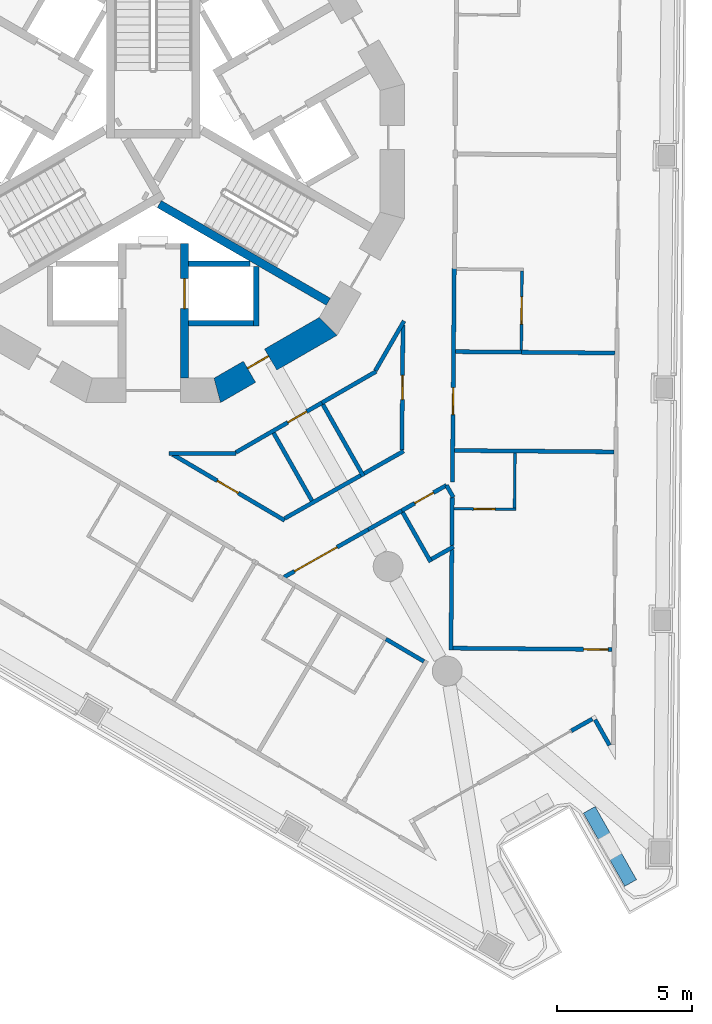
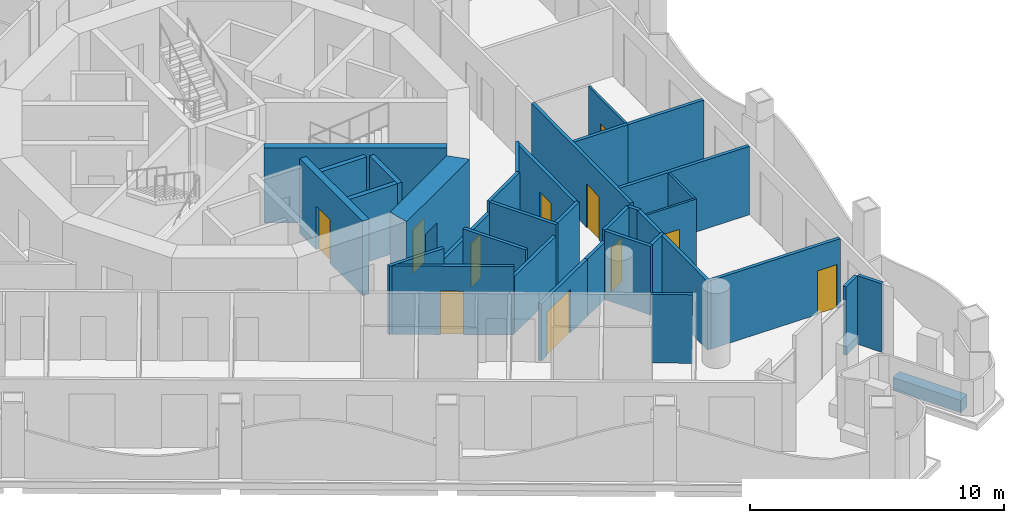
# One storey, part 5 of 17: 36 walls, 11 doors, 11 openings.
"""IFC4 building model written with IfcOpenShell, lengths in metres."""

from ifc_helpers import new_model, si_unit, direction, frame, frame_2d, origin, place, context, subcontext, project, spatial, polyline, rectangle, outline, extrude, material, layer, layer_set, type_object, element, fill, save


model = new_model("IFC4")

# Units and contexts
model_context = context("Model", 3, precision=1e-05, world=origin(), true_north=direction((0.0, 1.0)))
body_context = subcontext(model_context, "Body", "Model", "MODEL_VIEW")
ifc_project = project(units=[si_unit("LENGTHUNIT", "METRE"), si_unit("AREAUNIT", "SQUARE_METRE"), si_unit("VOLUMEUNIT", "CUBIC_METRE"), si_unit("PLANEANGLEUNIT", "RADIAN"), si_unit("MASSUNIT", "GRAM", prefix="KILO")], contexts=[model_context])

# Site, building, storey
site_placement = place(None, origin())
site = spatial("IfcSite", under=ifc_project, at=site_placement, CompositionType="ELEMENT")
building_placement = place(site_placement, origin())
building = spatial("IfcBuilding", under=site, at=building_placement, Name="Trine Commons Tower", CompositionType="ELEMENT")
storey_placement = place(building_placement, frame((0.0, 0.0, 179.10009765625)))
storey = spatial("IfcBuildingStorey", under=building, at=storey_placement, Name="L46", CompositionType="ELEMENT", Elevation=179.10009765625)

# Walls
ifc_material_1 = material(Name="Aluminium-framed insulated wall panel", Category="aluminium")
ifc_layer_1 = layer(ifc_material_1, 0.14990234375)
ifc_layer_set_1 = layer_set([ifc_layer_1], Name="Aluminium-framed insulated wall panel")
wall_type_1 = type_object("IfcWallType", Name="Glazed frame wall 150, EI 60", PredefinedType="SOLIDWALL", material=ifc_layer_set_1)
wall_1_placement = place(storey_placement, frame((96.91552734375, 40.450927734375, 0.0), z_axis=(0.0, 0.0, 1.0), x_axis=(-0.492439994984, 0.870346397327, 0.0)))
element("IfcWall", 1, at=wall_1_placement, inside=storey, type_object=wall_type_1, Name="Glazed frame wall R9", PredefinedType="SOLIDWALL", context=body_context, shape_type="SweptSolid", body=[
    extrude(outline(polyline([(0.1494140625, 0.074951171875), (0.1494140625, -0.074951171875), (1.235107421875, -0.074951171875), (1.235107421875, 0.074951171875), (0.1494140625, 0.074951171875)])), origin(), (0.0, 0.0, 1.0), 3.2998046875),
])
wall_2_placement = place(storey_placement, frame((96.30078125, 41.6083984375, 0.0), z_axis=(0.0, 0.0, 1.0), x_axis=(-0.870353598469, -0.492427267353, 0.0)))
element("IfcWall", 2, at=wall_2_placement, inside=storey, type_object=wall_type_1, Name="Glazed frame wall P3.1", PredefinedType="SOLIDWALL", context=body_context, shape_type="SweptSolid", body=[
    extrude(outline(polyline([(0.110107421875, -0.074951171875), (1.0, -0.074951171875), (1.0, 0.074951171875), (0.110107421875, 0.074951171875), (0.110107421875, -0.074951171875)])), origin(), (0.0, 0.0, 1.0), 3.2998046875),
])
ifc_material_2 = material(Name="Planter trough, precast concrete C40/50", Category="concrete")
ifc_layer_2 = layer(ifc_material_2, 0.5)
ifc_layer_set_2 = layer_set([ifc_layer_2], Name="Planter trough, precast concrete C40/50")
wall_type_2 = type_object("IfcWallType", Name="Planter trough 500x600", PredefinedType="PARAPET", material=ifc_layer_set_2)
wall_3_placement = place(storey_placement, frame((97.619384765625, 35.500732421875, 0.0), z_axis=(0.0, 0.0, 1.0), x_axis=(-0.492428288095, 0.870353020954, 0.0)))
element("IfcWall", 3, at=wall_3_placement, inside=storey, type_object=wall_type_2, Name="Planter 7", PredefinedType="PARAPET", context=body_context, shape_type="SweptSolid", body=[
    extrude(rectangle(XDim=3.10009765625, YDim=0.5, at=frame_2d((1.550048828125, 0.0))), origin(), (0.0, 0.0, 1.0), 0.599853515625),
])

# Wall, opening, door
ifc_material_3 = material(Name="Concrete C60/75", Category="concrete")
ifc_layer_3 = layer(ifc_material_3, 0.300048828125)
ifc_layer_set_3 = layer_set([ifc_layer_3], Name="Concrete C60/75")
wall_type_3 = type_object("IfcWallType", Name="RC shear wall 300 mm, C60/75", PredefinedType="SHEAR", material=ifc_layer_set_3)
wall_4_placement = place(storey_placement, frame((81.14990234375, 59.10009765625, 0.0), z_axis=(0.0, 0.0, 1.0), x_axis=(0.0, -1.0, 0.0)))
wall_4 = element("IfcWall", 4, at=wall_4_placement, inside=storey, type_object=wall_type_3, Name="Core cross wall SWB-04 L46", PredefinedType="SHEAR", context=body_context, shape_type="SweptSolid", body=[
    extrude(rectangle(XDim=4.97314453125, YDim=0.300048828125, at=frame_2d((2.486572265625, 0.0))), origin(), (0.0, 0.0, 1.0), 3.599853515625),
])
opening_1_placement = place(wall_4_placement, frame((1.300048828125, 0.0, 0.0)))
opening_1 = element("IfcOpeningElement", 5, at=opening_1_placement, cuts=wall_4, Name="Opening LD9", PredefinedType="OPENING", context=body_context, shape_type="SweptSolid", body=[
    extrude(rectangle(XDim=1.10009765625, YDim=2.10009765625, at=frame_2d((0.550048828125, 1.050048828125))), frame((0.0, 0.159912109375, 0.0), z_axis=(0.0, -1.0, 0.0), x_axis=(1.0, 0.0, 0.0)), (0.0, 0.0, 1.0), 0.320068359375),
])
ifc_material_4 = material(Name="Stainless steel sliding door leaves", Category="steel")
door_type_1 = type_object("IfcDoorType", Name="Lift landing door, centre-opening sliding 1100 x 2100, FD90", OperationType="DOUBLE_DOOR_SLIDING", PredefinedType="DOOR", material=ifc_material_4)
door_1_placement = place(opening_1_placement, origin())
door_1 = element("IfcDoor", 6, at=door_1_placement, inside=storey, type_object=door_type_1, Name="Lift landing door FF1 L46", OperationType="DOUBLE_DOOR_SLIDING", OverallHeight=2.10009765625, OverallWidth=1.10009765625, PredefinedType="DOOR", context=body_context, shape_type="SweptSolid", body=[
    extrude(rectangle(XDim=1.10009765625, YDim=2.10009765625, at=frame_2d((0.550048828125, 1.050048828125))), frame((0.0, 0.02490234375, 0.0), z_axis=(0.0, -1.0, 0.0), x_axis=(1.0, 0.0, 0.0)), (0.0, 0.0, 1.0), 0.050048828125),
])
fill(opening_1, door_1)

# Wall
wall_5_placement = place(storey_placement, frame((80.22509765625, 60.552001953125, 0.0), z_axis=(0.0, 0.0, 1.0), x_axis=(0.866028135082, -0.499995269223, 0.0)))
element("IfcWall", 7, at=wall_5_placement, inside=storey, type_object=wall_type_3, Name="Core cross wall SWB-13 L46", PredefinedType="SHEAR", context=body_context, shape_type="SweptSolid", body=[
    extrude(rectangle(XDim=7.2041015625, YDim=0.300048828125, at=frame_2d((3.60205078125, 0.0))), origin(), (0.0, 0.0, 1.0), 3.599853515625),
])

# Wall, opening, door
ifc_layer_4 = layer(ifc_material_3, 0.89990234375)
ifc_layer_set_4 = layer_set([ifc_layer_4], Name="Concrete C60/75")
wall_type_4 = type_object("IfcWallType", Name="RC shear wall 900 mm, C60/75", PredefinedType="SHEAR", material=ifc_layer_set_4)
wall_6_placement = place(storey_placement, frame((82.259765625, 53.61669921875, 0.0), z_axis=(0.0, 0.0, 1.0), x_axis=(0.866003133579, 0.500038571144, 0.0)))
wall_6 = element("IfcWall", 8, at=wall_6_placement, inside=storey, type_object=wall_type_4, Name="Core wall CWE-11 L46", PredefinedType="SHEAR", context=body_context, shape_type="SweptSolid", body=[
    extrude(outline(polyline([(0.0, -0.449951171875), (4.96923828125, -0.449951171875), (4.72802734375, 0.449951171875), (0.2412109375, 0.449951171875), (0.0, -0.449951171875)])), origin(), (0.0, 0.0, 1.0), 3.599853515625),
])
opening_2_placement = place(wall_6_placement, frame((1.4951171875, 0.0, 0.0)))
opening_2 = element("IfcOpeningElement", 9, at=opening_2_placement, cuts=wall_6, Name="Opening K09.15", PredefinedType="OPENING", context=body_context, shape_type="SweptSolid", body=[
    extrude(rectangle(XDim=0.89990234375, YDim=2.10009765625, at=frame_2d((0.449951171875, 1.050048828125))), frame((0.0, 0.4599609375, 0.0), z_axis=(0.0, -1.0, 0.0), x_axis=(1.0, 0.0, 0.0)), (0.0, 0.0, 1.0), 0.919921875),
])
ifc_material_5 = material(Name="Steel door leaf, fire-rated", Category="steel")
door_type_2 = type_object("IfcDoorType", Name="Core room door, single leaf 900 x 2100, FD30S", OperationType="SINGLE_SWING_LEFT", PredefinedType="DOOR", material=ifc_material_5)
door_2_placement = place(opening_2_placement, origin())
door_2 = element("IfcDoor", 10, at=door_2_placement, inside=storey, type_object=door_type_2, Name="Door to Accessible WC L46", OperationType="SINGLE_SWING_LEFT", OverallHeight=2.10009765625, OverallWidth=0.89990234375, PredefinedType="DOOR", context=body_context, shape_type="SweptSolid", body=[
    extrude(rectangle(XDim=0.89990234375, YDim=2.10009765625, at=frame_2d((0.449951171875, 1.050048828125))), frame((0.0, 0.1748046875, 0.0), z_axis=(0.0, -1.0, 0.0), x_axis=(1.0, 0.0, 0.0)), (0.0, 0.0, 1.0), 0.050048828125),
])
fill(opening_2, door_2)

# Walls
ifc_material_6 = material(Name="Fire-rated gypsum shaft wall system")
ifc_layer_5 = layer(ifc_material_6, 0.199951171875)
ifc_layer_set_5 = layer_set([ifc_layer_5], Name="Fire-rated gypsum shaft wall system")
wall_type_5 = type_object("IfcWallType", Name="Shaft wall 200 mm, EI 120", PredefinedType="PARTITIONING", material=ifc_layer_set_5)
wall_7_placement = place(storey_placement, frame((81.300048828125, 56.14990234375, 0.0), z_axis=(0.0, 0.0, 1.0), x_axis=(1.0, 0.0, 0.0)))
element("IfcWall", 11, at=wall_7_placement, inside=storey, type_object=wall_type_5, Name="Shaft wall L46", PredefinedType="PARTITIONING", context=body_context, shape_type="SweptSolid", body=[
    extrude(rectangle(XDim=2.39990234375, YDim=0.199951171875, at=frame_2d((1.199951171875, 0.0))), origin(), (0.0, 0.0, 1.0), 3.2998046875),
])
wall_8_placement = place(storey_placement, frame((81.300048828125, 58.35009765625, 0.0), z_axis=(0.0, 0.0, 1.0), x_axis=(1.0, 0.0, 0.0)))
element("IfcWall", 12, at=wall_8_placement, inside=storey, type_object=wall_type_5, Name="Shaft wall L46", PredefinedType="PARTITIONING", context=body_context, shape_type="SweptSolid", body=[
    extrude(rectangle(XDim=2.264892578125, YDim=0.199951171875, at=frame_2d((1.13232421875, 0.0))), origin(), (0.0, 0.0, 1.0), 3.2998046875),
])
wall_9_placement = place(storey_placement, frame((83.800048828125, 58.257080078125, 0.0), z_axis=(0.0, 0.0, 1.0), x_axis=(0.0, -1.0, 0.0)))
element("IfcWall", 13, at=wall_9_placement, inside=storey, type_object=wall_type_5, Name="Shaft wall L46", PredefinedType="PARTITIONING", context=body_context, shape_type="SweptSolid", body=[
    extrude(rectangle(XDim=2.20703125, YDim=0.199951171875, at=frame_2d((1.103515625, 0.0))), origin(), (0.0, 0.0, 1.0), 3.2998046875),
])
ifc_material_7 = material(Name="Gypsum plasterboard on steel stud", Category="steel")
ifc_layer_6 = layer(ifc_material_7, 0.14990234375)
ifc_layer_set_6 = layer_set([ifc_layer_6], Name="Gypsum plasterboard on steel stud")
wall_type_6 = type_object("IfcWallType", Name="Unit and corridor wall 150 mm, EI 60", PredefinedType="PARTITIONING", material=ifc_layer_set_6)
wall_10_placement = place(storey_placement, frame((80.574951171875, 51.35205078125, 0.0), z_axis=(0.0, 0.0, 1.0), x_axis=(1.0, 0.0, 0.0)))
element("IfcWall", 14, at=wall_10_placement, inside=storey, type_object=wall_type_6, Name="Partition 069", PredefinedType="PARTITIONING", context=body_context, shape_type="SweptSolid", body=[
    extrude(rectangle(XDim=2.487060546875, YDim=0.14990234375, at=frame_2d((1.24365234375, 0.0))), origin(), (0.0, 0.0, 1.0), 3.2998046875),
])

# Wall, opening, door
wall_11_placement = place(storey_placement, frame((80.718505859375, 51.31396484375, 0.0), z_axis=(0.0, 0.0, 1.0), x_axis=(0.86168823453, -0.507438061711, 0.0)))
wall_11 = element("IfcWall", 15, at=wall_11_placement, inside=storey, type_object=wall_type_6, Name="Partition 070", PredefinedType="PARTITIONING", context=body_context, shape_type="SweptSolid", body=[
    extrude(rectangle(XDim=4.798828125, YDim=0.14990234375, at=frame_2d((2.3994140625, 0.0))), origin(), (0.0, 0.0, 1.0), 3.2998046875),
])
opening_3_placement = place(wall_11_placement, frame((1.911865234375, 0.0, 0.0)))
opening_3 = element("IfcOpeningElement", 16, at=opening_3_placement, cuts=wall_11, Name="Opening D-5B34", PredefinedType="OPENING", context=body_context, shape_type="SweptSolid", body=[
    extrude(rectangle(XDim=0.89990234375, YDim=2.10009765625, at=frame_2d((0.449951171875, 1.050048828125))), frame((0.0, 0.0849609375, 0.0), z_axis=(0.0, -1.0, 0.0), x_axis=(1.0, 0.0, 0.0)), (0.0, 0.0, 1.0), 0.169921875),
])
ifc_material_8 = material(Name="Timber fire door set", Category="wood")
door_type_3 = type_object("IfcDoorType", Name="Service door 900 x 2100, FD30S", OperationType="NOTDEFINED", PredefinedType="DOOR", material=ifc_material_8)
door_3_placement = place(opening_3_placement, origin())
door_3 = element("IfcDoor", 17, at=door_3_placement, inside=storey, type_object=door_type_3, Name="Door D-5B34", OperationType="SINGLE_SWING_LEFT", OverallHeight=2.10009765625, OverallWidth=0.89990234375, PredefinedType="DOOR", context=body_context, shape_type="SweptSolid", body=[
    extrude(rectangle(XDim=0.89990234375, YDim=2.10009765625, at=frame_2d((0.449951171875, 1.050048828125))), frame((0.0, 0.02490234375, 0.0), z_axis=(0.0, -1.0, 0.0), x_axis=(1.0, 0.0, 0.0)), (0.0, 0.0, 1.0), 0.050048828125),
])
fill(opening_3, door_3)

wall_12_placement = place(storey_placement, frame((83.052001953125, 51.389404296875, 0.0), z_axis=(0.0, 0.0, 1.0), x_axis=(0.865986833321, 0.500066800053, 0.0)))
wall_12 = element("IfcWall", 18, at=wall_12_placement, inside=storey, type_object=wall_type_6, Name="Partition 078", PredefinedType="PARTITIONING", context=body_context, shape_type="SweptSolid", body=[
    extrude(rectangle(XDim=3.74365234375, YDim=0.14990234375, at=frame_2d((1.871826171875, 0.0))), origin(), (0.0, 0.0, 1.0), 2.75),
])
opening_4_placement = place(wall_12_placement, frame((2.215087890625, 0.0, 0.0)))
opening_4 = element("IfcOpeningElement", 19, at=opening_4_placement, cuts=wall_12, Name="Opening D-5B37", PredefinedType="OPENING", context=body_context, shape_type="SweptSolid", body=[
    extrude(rectangle(XDim=0.800048828125, YDim=2.10009765625, at=frame_2d((0.39990234375, 1.050048828125))), frame((0.0, 0.0849609375, 0.0), z_axis=(0.0, -1.0, 0.0), x_axis=(1.0, 0.0, 0.0)), (0.0, 0.0, 1.0), 0.169921875),
])
ifc_material_9 = material(Name="Painted timber", Category="wood")
door_type_4 = type_object("IfcDoorType", Name="Toilet door 800 x 2100, NOT RATED", OperationType="NOTDEFINED", PredefinedType="DOOR", material=ifc_material_9)
door_4_placement = place(opening_4_placement, frame((0.800048828125, 0.0, 0.0), z_axis=(0.0, 0.0, 1.0), x_axis=(-1.0, 0.0, 0.0)))
door_4 = element("IfcDoor", 20, at=door_4_placement, inside=storey, type_object=door_type_4, Name="Door D-5B37", OperationType="SINGLE_SWING_LEFT", OverallHeight=2.10009765625, OverallWidth=0.800048828125, PredefinedType="DOOR", context=body_context, shape_type="SweptSolid", body=[
    extrude(rectangle(XDim=0.800048828125, YDim=2.10009765625, at=frame_2d((0.39990234375, 1.050048828125))), frame((0.0, 0.02490234375, 0.0), z_axis=(0.0, -1.0, 0.0), x_axis=(1.0, 0.0, 0.0)), (0.0, 0.0, 1.0), 0.050048828125),
])
fill(opening_4, door_4)

# Wall
wall_13_placement = place(storey_placement, frame((84.44384765625, 52.106689453125, 0.0), z_axis=(0.0, 0.0, 1.0), x_axis=(0.492499814097, -0.870312549096, 0.0)))
element("IfcWall", 21, at=wall_13_placement, inside=storey, type_object=wall_type_6, Name="Partition 088", PredefinedType="PARTITIONING", context=body_context, shape_type="SweptSolid", body=[
    extrude(rectangle(XDim=2.87158203125, YDim=0.14990234375, at=frame_2d((1.435791015625, 0.0))), origin(), (0.0, 0.0, 1.0), 3.2998046875),
])

# Wall, opening, door
wall_14_placement = place(storey_placement, frame((84.835205078125, 46.788818359375, 0.0), z_axis=(0.0, 0.0, 1.0), x_axis=(0.870381542182, 0.492377874228, 0.0)))
wall_14 = element("IfcWall", 22, at=wall_14_placement, inside=storey, type_object=wall_type_6, Name="Partition 090", PredefinedType="PARTITIONING", context=body_context, shape_type="SweptSolid", body=[
    extrude(rectangle(XDim=3.5625, YDim=0.14990234375, at=frame_2d((1.78125, 0.0))), origin(), (0.0, 0.0, 1.0), 2.75),
])
opening_5_placement = place(wall_14_placement, frame((0.435546875, 0.0, 0.0)))
opening_5 = element("IfcOpeningElement", 23, at=opening_5_placement, cuts=wall_14, Name="Opening D-5B02", PredefinedType="OPENING", context=body_context, shape_type="SweptSolid", body=[
    extrude(rectangle(XDim=1.800048828125, YDim=2.10009765625, at=frame_2d((0.89990234375, 1.050048828125))), frame((0.0, 0.0849609375, 0.0), z_axis=(0.0, -1.0, 0.0), x_axis=(1.0, 0.0, 0.0)), (0.0, 0.0, 1.0), 0.169921875),
])
door_type_5 = type_object("IfcDoorType", Name="Cluster entrance door 1800 x 2100, double leaf, FD30S", OperationType="DOUBLE_DOOR_DOUBLE_SWING", PredefinedType="DOOR", material=ifc_material_8)
door_5_placement = place(opening_5_placement, frame((1.800048828125, 0.0, 0.0), z_axis=(0.0, 0.0, 1.0), x_axis=(-1.0, 0.0, 0.0)))
door_5 = element("IfcDoor", 24, at=door_5_placement, inside=storey, type_object=door_type_5, Name="Door D-5B02", OperationType="DOUBLE_DOOR_DOUBLE_SWING", OverallHeight=2.10009765625, OverallWidth=1.800048828125, PredefinedType="DOOR", context=body_context, shape_type="SweptSolid", body=[
    extrude(rectangle(XDim=1.800048828125, YDim=2.10009765625, at=frame_2d((0.89990234375, 1.050048828125))), frame((0.0, 0.02490234375, 0.0), z_axis=(0.0, -1.0, 0.0), x_axis=(1.0, 0.0, 0.0)), (0.0, 0.0, 1.0), 0.050048828125),
])
fill(opening_5, door_5)

# Walls
wall_15_placement = place(storey_placement, frame((84.854248046875, 48.953857421875, 0.0), z_axis=(0.0, 0.0, 1.0), x_axis=(0.870456695911, 0.492245000527, 0.0)))
element("IfcWall", 25, at=wall_15_placement, inside=storey, type_object=wall_type_6, Name="Partition 091", PredefinedType="PARTITIONING", context=body_context, shape_type="SweptSolid", body=[
    extrude(rectangle(XDim=3.29931640625, YDim=0.14990234375, at=frame_2d((1.649658203125, 0.0))), origin(), (0.0, 0.0, 1.0), 2.75),
])
wall_16_placement = place(storey_placement, frame((86.222900390625, 53.219970703125, 0.0), z_axis=(0.0, 0.0, 1.0), x_axis=(0.866032668777, 0.499987416453, 0.0)))
element("IfcWall", 26, at=wall_16_placement, inside=storey, type_object=wall_type_6, Name="Partition 100", PredefinedType="PARTITIONING", context=body_context, shape_type="SweptSolid", body=[
    extrude(rectangle(XDim=2.31298828125, YDim=0.14990234375, at=frame_2d((1.156494140625, 0.0))), origin(), (0.0, 0.0, 1.0), 3.2998046875),
])
wall_17_placement = place(storey_placement, frame((86.262939453125, 53.15673828125, 0.0), z_axis=(0.0, 0.0, 1.0), x_axis=(0.492432966666, -0.870350373896, 0.0)))
element("IfcWall", 27, at=wall_17_placement, inside=storey, type_object=wall_type_6, Name="Partition 101", PredefinedType="PARTITIONING", context=body_context, shape_type="SweptSolid", body=[
    extrude(rectangle(XDim=3.0400390625, YDim=0.14990234375, at=frame_2d((1.52001953125, 0.0))), origin(), (0.0, 0.0, 1.0), 3.2998046875),
])
wall_18_placement = place(storey_placement, frame((87.785400390625, 50.61181640625, 0.0), z_axis=(0.0, 0.0, 1.0), x_axis=(0.870416092443, 0.492316794368, 0.0)))
element("IfcWall", 28, at=wall_18_placement, inside=storey, type_object=wall_type_6, Name="Partition 106", PredefinedType="PARTITIONING", context=body_context, shape_type="SweptSolid", body=[
    extrude(rectangle(XDim=1.673583984375, YDim=0.14990234375, at=frame_2d((0.8369140625, 0.0))), origin(), (0.0, 0.0, 1.0), 3.2998046875),
])
wall_19_placement = place(storey_placement, frame((87.93603515625, 48.54296875, 0.0), z_axis=(0.0, 0.0, 1.0), x_axis=(0.870505283706, 0.492159070871, 0.0)))
element("IfcWall", 29, at=wall_19_placement, inside=storey, type_object=wall_type_6, Name="Partition 108", PredefinedType="PARTITIONING", context=body_context, shape_type="SweptSolid", body=[
    extrude(rectangle(XDim=1.422119140625, YDim=0.14990234375, at=frame_2d((0.7109375, 0.0))), origin(), (0.0, 0.0, 1.0), 2.75),
])
wall_20_placement = place(storey_placement, frame((88.198486328125, 54.404052734375, 0.0), z_axis=(0.0, 0.0, 1.0), x_axis=(0.499882057835, 0.866093487018, 0.0)))
element("IfcWall", 30, at=wall_20_placement, inside=storey, type_object=wall_type_6, Name="Partition 109", PredefinedType="PARTITIONING", context=body_context, shape_type="SweptSolid", body=[
    extrude(rectangle(XDim=2.11865234375, YDim=0.14990234375, at=frame_2d((1.059326171875, 0.0))), origin(), (0.0, 0.0, 1.0), 3.2998046875),
])
wall_21_placement = place(storey_placement, frame((88.589111328125, 44.501953125, 0.0), z_axis=(0.0, 0.0, 1.0), x_axis=(0.861613540122, -0.507564880068, 0.0)))
element("IfcWall", 31, at=wall_21_placement, inside=storey, type_object=wall_type_6, Name="Partition 112", PredefinedType="PARTITIONING", context=body_context, shape_type="SweptSolid", body=[
    extrude(rectangle(XDim=1.625244140625, YDim=0.14990234375, at=frame_2d((0.8125, 0.0))), origin(), (0.0, 0.0, 1.0), 3.2998046875),
])

# Wall, opening, door
wall_22_placement = place(storey_placement, frame((89.16796875, 49.239013671875, 0.0), z_axis=(0.0, 0.0, 1.0), x_axis=(0.870049645281, 0.492964111013, 0.0)))
wall_22 = element("IfcWall", 32, at=wall_22_placement, inside=storey, type_object=wall_type_6, Name="Partition 114", PredefinedType="PARTITIONING", context=body_context, shape_type="SweptSolid", body=[
    extrude(rectangle(XDim=1.90673828125, YDim=0.14990234375, at=frame_2d((0.953369140625, 0.0))), origin(), (0.0, 0.0, 1.0), 3.2998046875),
])
opening_6_placement = place(wall_22_placement, frame((0.553466796875, 0.0, 0.0)))
opening_6 = element("IfcOpeningElement", 33, at=opening_6_placement, cuts=wall_22, Name="Opening D-5B04", PredefinedType="OPENING", context=body_context, shape_type="SweptSolid", body=[
    extrude(rectangle(XDim=0.800048828125, YDim=2.10009765625, at=frame_2d((0.39990234375, 1.050048828125))), frame((0.0, 0.0849609375, 0.0), z_axis=(0.0, -1.0, 0.0), x_axis=(1.0, 0.0, 0.0)), (0.0, 0.0, 1.0), 0.169921875),
])
door_6_placement = place(opening_6_placement, frame((0.800048828125, 0.0, 0.0), z_axis=(0.0, 0.0, 1.0), x_axis=(-1.0, 0.0, 0.0)))
door_6 = element("IfcDoor", 34, at=door_6_placement, inside=storey, type_object=door_type_4, Name="Door D-5B04", OperationType="SINGLE_SWING_LEFT", OverallHeight=2.10009765625, OverallWidth=0.800048828125, PredefinedType="DOOR", context=body_context, shape_type="SweptSolid", body=[
    extrude(rectangle(XDim=0.800048828125, YDim=2.10009765625, at=frame_2d((0.39990234375, 1.050048828125))), frame((0.0, 0.02490234375, 0.0), z_axis=(0.0, -1.0, 0.0), x_axis=(1.0, 0.0, 0.0)), (0.0, 0.0, 1.0), 0.050048828125),
])
fill(opening_6, door_6)

# Wall
wall_23_placement = place(storey_placement, frame((89.2080078125, 49.17578125, 0.0), z_axis=(0.0, 0.0, 1.0), x_axis=(0.492490202922, -0.870317987879, 0.0)))
element("IfcWall", 35, at=wall_23_placement, inside=storey, type_object=wall_type_6, Name="Partition 115", PredefinedType="PARTITIONING", context=body_context, shape_type="SweptSolid", body=[
    extrude(rectangle(XDim=2.099365234375, YDim=0.14990234375, at=frame_2d((1.0498046875, 0.0))), origin(), (0.0, 0.0, 1.0), 3.2998046875),
])

# Wall, opening, door
wall_24_placement = place(storey_placement, frame((89.177490234375, 51.47412109375, 0.0), z_axis=(0.0, 0.0, 1.0), x_axis=(0.008609896903, 0.999962934151, 0.0)))
wall_24 = element("IfcWall", 36, at=wall_24_placement, inside=storey, type_object=wall_type_6, Name="Partition 116", PredefinedType="PARTITIONING", context=body_context, shape_type="SweptSolid", body=[
    extrude(rectangle(XDim=4.6220703125, YDim=0.14990234375, at=frame_2d((2.31103515625, 0.0))), origin(), (0.0, 0.0, 1.0), 3.2998046875),
])
opening_7_placement = place(wall_24_placement, frame((1.861083984375, 0.0, 0.0)))
opening_7 = element("IfcOpeningElement", 37, at=opening_7_placement, cuts=wall_24, Name="Opening D-5B32", PredefinedType="OPENING", context=body_context, shape_type="SweptSolid", body=[
    extrude(rectangle(XDim=0.89990234375, YDim=2.10009765625, at=frame_2d((0.449951171875, 1.050048828125))), frame((0.0, 0.0849609375, 0.0), z_axis=(0.0, -1.0, 0.0), x_axis=(1.0, 0.0, 0.0)), (0.0, 0.0, 1.0), 0.169921875),
])
door_7_placement = place(opening_7_placement, origin())
door_7 = element("IfcDoor", 38, at=door_7_placement, inside=storey, type_object=door_type_3, Name="Door D-5B32", OperationType="SINGLE_SWING_LEFT", OverallHeight=2.10009765625, OverallWidth=0.89990234375, PredefinedType="DOOR", context=body_context, shape_type="SweptSolid", body=[
    extrude(rectangle(XDim=0.89990234375, YDim=2.10009765625, at=frame_2d((0.449951171875, 1.050048828125))), frame((0.0, 0.02490234375, 0.0), z_axis=(0.0, -1.0, 0.0), x_axis=(1.0, 0.0, 0.0)), (0.0, 0.0, 1.0), 0.050048828125),
])
fill(opening_7, door_7)

# Walls
wall_25_placement = place(storey_placement, frame((90.270263671875, 47.450927734375, 0.0), z_axis=(0.0, 0.0, 1.0), x_axis=(0.870538616766, 0.492100108432, 0.0)))
element("IfcWall", 39, at=wall_25_placement, inside=storey, type_object=wall_type_6, Name="Partition 118", PredefinedType="PARTITIONING", context=body_context, shape_type="SweptSolid", body=[
    extrude(rectangle(XDim=0.938720703125, YDim=0.14990234375, at=frame_2d((0.46923828125, 0.0))), origin(), (0.0, 0.0, 1.0), 3.2998046875),
])
wall_26_placement = place(storey_placement, frame((90.823974609375, 50.177001953125, 0.0), z_axis=(0.0, 0.0, 1.0), x_axis=(0.493654600783, -0.869658056437, 0.0)))
element("IfcWall", 40, at=wall_26_placement, inside=storey, type_object=wall_type_6, Name="Partition 119", PredefinedType="PARTITIONING", context=body_context, shape_type="SweptSolid", body=[
    extrude(rectangle(XDim=0.50830078125, YDim=0.14990234375, at=frame_2d((0.254150390625, 0.0))), origin(), (0.0, 0.0, 1.0), 3.2998046875),
])
wall_27_placement = place(storey_placement, frame((90.98828125, 44.092041015625, 0.0), z_axis=(0.0, 0.0, 1.0), x_axis=(0.008789427608, 0.999961372235, 0.0)))
element("IfcWall", 41, at=wall_27_placement, inside=storey, type_object=wall_type_6, Name="Partition 120", PredefinedType="PARTITIONING", context=body_context, shape_type="SweptSolid", body=[
    extrude(rectangle(XDim=3.72216796875, YDim=0.14990234375, at=frame_2d((1.861083984375, 0.0))), origin(), (0.0, 0.0, 1.0), 3.2998046875),
])

# Wall, opening, door
wall_28_placement = place(storey_placement, frame((91.06396484375, 44.166259765625, 0.0), z_axis=(0.0, 0.0, 1.0), x_axis=(0.999962273479, -0.008686289076, 0.0)))
wall_28 = element("IfcWall", 42, at=wall_28_placement, inside=storey, type_object=wall_type_6, Name="Partition 121", PredefinedType="PARTITIONING", context=body_context, shape_type="SweptSolid", body=[
    extrude(rectangle(XDim=5.874267578125, YDim=0.14990234375, at=frame_2d((2.93701171875, 0.0))), origin(), (0.0, 0.0, 1.0), 3.2998046875),
])
opening_8_placement = place(wall_28_placement, frame((4.82421875, 0.0, 0.0)))
opening_8 = element("IfcOpeningElement", 43, at=opening_8_placement, cuts=wall_28, Name="Opening D-5B21", PredefinedType="OPENING", context=body_context, shape_type="SweptSolid", body=[
    extrude(rectangle(XDim=0.89990234375, YDim=2.10009765625, at=frame_2d((0.449951171875, 1.050048828125))), frame((0.0, 0.0849609375, 0.0), z_axis=(0.0, -1.0, 0.0), x_axis=(1.0, 0.0, 0.0)), (0.0, 0.0, 1.0), 0.169921875),
])
door_type_6 = type_object("IfcDoorType", Name="Bedroom door 900 x 2100, FD30S", OperationType="NOTDEFINED", PredefinedType="DOOR", material=ifc_material_8)
door_8_placement = place(opening_8_placement, origin())
door_8 = element("IfcDoor", 44, at=door_8_placement, inside=storey, type_object=door_type_6, Name="Door D-5B21", OperationType="SINGLE_SWING_RIGHT", OverallHeight=2.10009765625, OverallWidth=0.89990234375, PredefinedType="DOOR", context=body_context, shape_type="SweptSolid", body=[
    extrude(rectangle(XDim=0.89990234375, YDim=2.10009765625, at=frame_2d((0.449951171875, 1.050048828125))), frame((0.0, 0.02490234375, 0.0), z_axis=(0.0, -1.0, 0.0), x_axis=(1.0, 0.0, 0.0)), (0.0, 0.0, 1.0), 0.050048828125),
])
fill(opening_8, door_8)

# Wall
wall_29_placement = place(storey_placement, frame((91.022705078125, 47.950927734375, 0.0), z_axis=(0.0, 0.0, 1.0), x_axis=(0.008256220588, 0.99996591683, 0.0)))
element("IfcWall", 45, at=wall_29_placement, inside=storey, type_object=wall_type_6, Name="Partition 122", PredefinedType="PARTITIONING", context=body_context, shape_type="SweptSolid", body=[
    extrude(rectangle(XDim=1.774169921875, YDim=0.14990234375, at=frame_2d((0.88720703125, 0.0))), origin(), (0.0, 0.0, 1.0), 3.2998046875),
])

# Wall, opening, door
wall_30_placement = place(storey_placement, frame((91.0419921875, 50.300048828125, 0.0), z_axis=(0.0, 0.0, 1.0), x_axis=(0.008763202243, 0.999961602406, 0.0)))
wall_30 = element("IfcWall", 46, at=wall_30_placement, inside=storey, type_object=wall_type_6, Name="Partition 124", PredefinedType="PARTITIONING", context=body_context, shape_type="SweptSolid", body=[
    extrude(rectangle(XDim=7.912109375, YDim=0.14990234375, at=frame_2d((3.9560546875, 0.0))), origin(), (0.0, 0.0, 1.0), 3.2998046875),
])
opening_9_placement = place(wall_30_placement, frame((2.484619140625, 0.0, 0.0)))
opening_9 = element("IfcOpeningElement", 47, at=opening_9_placement, cuts=wall_30, Name="Opening D-5B20", PredefinedType="OPENING", context=body_context, shape_type="SweptSolid", body=[
    extrude(rectangle(XDim=1.0, YDim=2.10009765625, at=frame_2d((0.5, 1.050048828125))), frame((0.0, 0.0849609375, 0.0), z_axis=(0.0, -1.0, 0.0), x_axis=(1.0, 0.0, 0.0)), (0.0, 0.0, 1.0), 0.169921875),
])
door_type_7 = type_object("IfcDoorType", Name="Amenity room door 1000 x 2100, NOT RATED", OperationType="NOTDEFINED", PredefinedType="DOOR", material=ifc_material_9)
door_9_placement = place(opening_9_placement, frame((1.0, 0.0, 0.0), z_axis=(0.0, 0.0, 1.0), x_axis=(-1.0, 0.0, 0.0)))
door_9 = element("IfcDoor", 48, at=door_9_placement, inside=storey, type_object=door_type_7, Name="Door D-5B20", OperationType="SINGLE_SWING_RIGHT", OverallHeight=2.10009765625, OverallWidth=1.0, PredefinedType="DOOR", context=body_context, shape_type="SweptSolid", body=[
    extrude(rectangle(XDim=1.0, YDim=2.10009765625, at=frame_2d((0.5, 1.050048828125))), frame((0.0, 0.02490234375, 0.0), z_axis=(0.0, -1.0, 0.0), x_axis=(1.0, 0.0, 0.0)), (0.0, 0.0, 1.0), 0.050048828125),
])
fill(opening_9, door_9)

# Walls
wall_31_placement = place(storey_placement, frame((91.126953125, 51.460205078125, 0.0), z_axis=(0.0, 0.0, 1.0), x_axis=(0.999962273479, -0.008686289076, 0.0)))
element("IfcWall", 49, at=wall_31_placement, inside=storey, type_object=wall_type_6, Name="Partition 125", PredefinedType="PARTITIONING", context=body_context, shape_type="SweptSolid", body=[
    extrude(rectangle(XDim=5.874267578125, YDim=0.14990234375, at=frame_2d((2.93701171875, 0.0))), origin(), (0.0, 0.0, 1.0), 3.2998046875),
])
wall_32_placement = place(storey_placement, frame((91.158935546875, 55.107421875, 0.0), z_axis=(0.0, 0.0, 1.0), x_axis=(0.999964244372, -0.008456357246, 0.0)))
element("IfcWall", 50, at=wall_32_placement, inside=storey, type_object=wall_type_6, Name="Partition 126", PredefinedType="PARTITIONING", context=body_context, shape_type="SweptSolid", body=[
    extrude(rectangle(XDim=2.425048828125, YDim=0.14990234375, at=frame_2d((1.21240234375, 0.0))), origin(), (0.0, 0.0, 1.0), 3.2998046875),
])
wall_33_placement = place(storey_placement, frame((93.583984375, 55.0869140625, 0.0), z_axis=(0.0, 0.0, 1.0), x_axis=(0.999960856051, -0.008847958307, 0.0)))
element("IfcWall", 51, at=wall_33_placement, inside=storey, type_object=wall_type_6, Name="Partition 150", PredefinedType="PARTITIONING", context=body_context, shape_type="SweptSolid", body=[
    extrude(rectangle(XDim=3.44921875, YDim=0.14990234375, at=frame_2d((1.724609375, 0.0))), origin(), (0.0, 0.0, 1.0), 3.2998046875),
])

# Wall, opening, door
ifc_layer_7 = layer(ifc_material_7, 0.10009765625)
ifc_layer_set_7 = layer_set([ifc_layer_7], Name="Gypsum plasterboard on steel stud")
wall_type_7 = type_object("IfcWallType", Name="Unit partition 100 mm, no rating", PredefinedType="PARTITIONING", material=ifc_layer_set_7)
wall_34_placement = place(storey_placement, frame((91.10888671875, 49.311279296875, 0.0), z_axis=(0.0, 0.0, 1.0), x_axis=(0.999958404904, -0.009120770943, 0.0)))
wall_34 = element("IfcWall", 52, at=wall_34_placement, inside=storey, type_object=wall_type_7, Name="Partition 123", PredefinedType="PARTITIONING", context=body_context, shape_type="SweptSolid", body=[
    extrude(rectangle(XDim=2.275146484375, YDim=0.10009765625, at=frame_2d((1.1376953125, 0.0))), origin(), (0.0, 0.0, 1.0), 3.2998046875),
])
opening_10_placement = place(wall_34_placement, frame((0.71240234375, 0.0, 0.0)))
opening_10 = element("IfcOpeningElement", 53, at=opening_10_placement, cuts=wall_34, Name="Opening D-5B52", PredefinedType="OPENING", context=body_context, shape_type="SweptSolid", body=[
    extrude(rectangle(XDim=0.800048828125, YDim=2.10009765625, at=frame_2d((0.39990234375, 1.050048828125))), frame((0.0, 0.06005859375, 0.0), z_axis=(0.0, -1.0, 0.0), x_axis=(1.0, 0.0, 0.0)), (0.0, 0.0, 1.0), 0.1201171875),
])
door_type_8 = type_object("IfcDoorType", Name="Internal door 800 x 2100, NOT RATED", OperationType="NOTDEFINED", PredefinedType="DOOR", material=ifc_material_9)
door_10_placement = place(opening_10_placement, frame((0.800048828125, 0.0, 0.0), z_axis=(0.0, 0.0, 1.0), x_axis=(-1.0, 0.0, 0.0)))
door_10 = element("IfcDoor", 54, at=door_10_placement, inside=storey, type_object=door_type_8, Name="Door D-5B52", OperationType="SINGLE_SWING_RIGHT", OverallHeight=2.10009765625, OverallWidth=0.800048828125, PredefinedType="DOOR", context=body_context, shape_type="SweptSolid", body=[
    extrude(rectangle(XDim=0.800048828125, YDim=2.10009765625, at=frame_2d((0.39990234375, 1.050048828125))), frame((0.0, 0.02490234375, 0.0), z_axis=(0.0, -1.0, 0.0), x_axis=(1.0, 0.0, 0.0)), (0.0, 0.0, 1.0), 0.050048828125),
])
fill(opening_10, door_10)

# Wall
wall_35_placement = place(storey_placement, frame((93.33447265625, 49.341064453125, 0.0), z_axis=(0.0, 0.0, 1.0), x_axis=(0.008318979066, 0.999965396695, 0.0)))
element("IfcWall", 55, at=wall_35_placement, inside=storey, type_object=wall_type_7, Name="Partition 144", PredefinedType="PARTITIONING", context=body_context, shape_type="SweptSolid", body=[
    extrude(rectangle(XDim=2.02490234375, YDim=0.10009765625, at=frame_2d((1.012451171875, 0.0))), origin(), (0.0, 0.0, 1.0), 3.2998046875),
])

# Wall, opening, door
wall_36_placement = place(storey_placement, frame((93.584716796875, 55.162109375, 0.0), z_axis=(0.0, 0.0, 1.0), x_axis=(0.008847733802, 0.999960858037, 0.0)))
wall_36 = element("IfcWall", 56, at=wall_36_placement, inside=storey, type_object=wall_type_7, Name="Partition 149", PredefinedType="PARTITIONING", context=body_context, shape_type="SweptSolid", body=[
    extrude(rectangle(XDim=2.9248046875, YDim=0.10009765625, at=frame_2d((1.46240234375, 0.0))), origin(), (0.0, 0.0, 1.0), 3.2998046875),
])
opening_11_placement = place(wall_36_placement, frame((0.962646484375, 0.0, 0.0)))
opening_11 = element("IfcOpeningElement", 57, at=opening_11_placement, cuts=wall_36, Name="Opening D-5B51", PredefinedType="OPENING", context=body_context, shape_type="SweptSolid", body=[
    extrude(rectangle(XDim=1.0, YDim=2.10009765625, at=frame_2d((0.5, 1.050048828125))), frame((0.0, 0.06005859375, 0.0), z_axis=(0.0, -1.0, 0.0), x_axis=(1.0, 0.0, 0.0)), (0.0, 0.0, 1.0), 0.1201171875),
])
door_type_9 = type_object("IfcDoorType", Name="Internal door 1000 x 2100, NOT RATED", OperationType="NOTDEFINED", PredefinedType="DOOR", material=ifc_material_9)
door_11_placement = place(opening_11_placement, frame((1.0, 0.0, 0.0), z_axis=(0.0, 0.0, 1.0), x_axis=(-1.0, 0.0, 0.0)))
door_11 = element("IfcDoor", 58, at=door_11_placement, inside=storey, type_object=door_type_9, Name="Door D-5B51", OperationType="SINGLE_SWING_LEFT", OverallHeight=2.10009765625, OverallWidth=1.0, PredefinedType="DOOR", context=body_context, shape_type="SweptSolid", body=[
    extrude(rectangle(XDim=1.0, YDim=2.10009765625, at=frame_2d((0.5, 1.050048828125))), frame((0.0, 0.02490234375, 0.0), z_axis=(0.0, -1.0, 0.0), x_axis=(1.0, 0.0, 0.0)), (0.0, 0.0, 1.0), 0.050048828125),
])
fill(opening_11, door_11)

save(model, "model.ifc")
